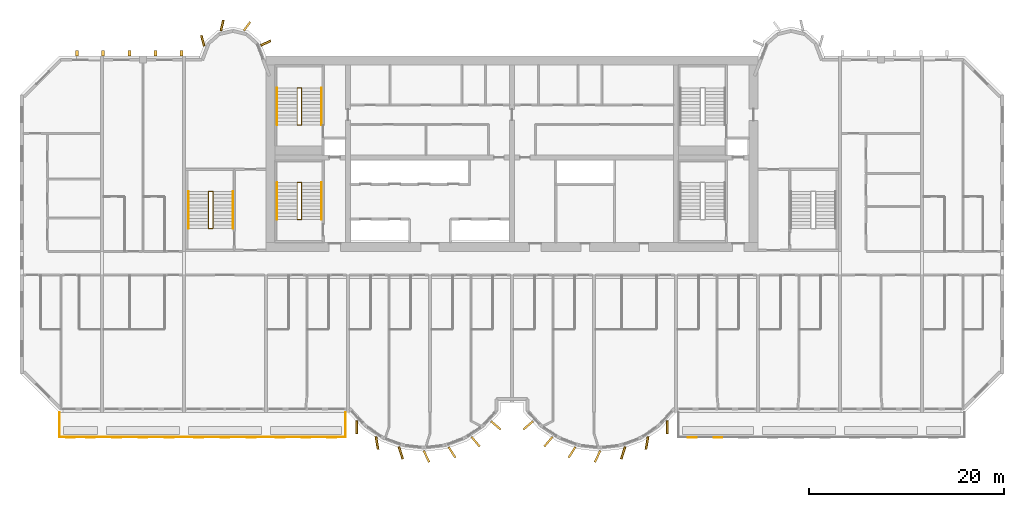
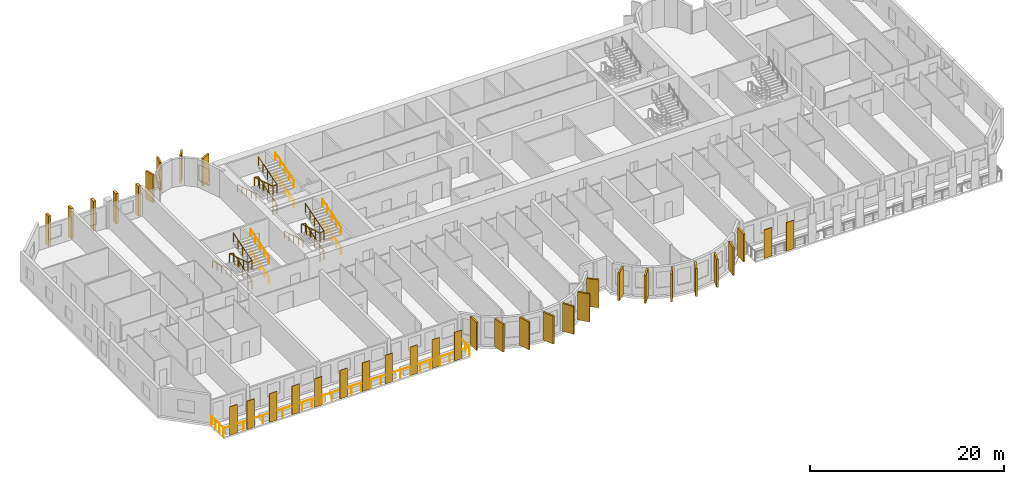
# One storey, part 12 of 14: 36 coverings, 13 railings.
"""IFC4 building model written with IfcOpenShell, lengths in metres."""

from ifc_helpers import new_model, si_unit, direction, frame, origin, origin_2d, place, context, subcontext, project, spatial, rectangle, circle, extrude, source, transform, mapped, material, layer, layer_set, material_profile, profile_set, type_object, element, save


model = new_model("IFC4")

# Units and contexts
model_context = context("Model", 3, precision=1e-05, world=origin(), true_north=direction((0.0, 1.0)))
body_context = subcontext(model_context, "Body", "Model", "MODEL_VIEW")
ifc_project = project(units=[si_unit("LENGTHUNIT", "METRE"), si_unit("AREAUNIT", "SQUARE_METRE"), si_unit("VOLUMEUNIT", "CUBIC_METRE"), si_unit("PLANEANGLEUNIT", "RADIAN"), si_unit("MASSUNIT", "GRAM", prefix="KILO")], contexts=[model_context])

# Site, building, storey
site_placement = place(None, origin())
site = spatial("IfcSite", under=ifc_project, at=site_placement, CompositionType="ELEMENT")
building_placement = place(site_placement, origin())
building = spatial("IfcBuilding", under=site, at=building_placement, Name="Vanashikhar Sky Hotel", CompositionType="ELEMENT")
storey_placement = place(building_placement, frame((0.0, 0.0, 99.0)))
storey = spatial("IfcBuildingStorey", under=building, at=storey_placement, Name="L23", CompositionType="ELEMENT", Elevation=99.0)

# Railing
ifc_material_1 = material(Name="Stainless steel 316", Category="steel")
railing_type_1 = type_object("IfcRailingType", Name="Balcony guard 1100", PredefinedType="GUARDRAIL", material=ifc_material_1)
shared_shape_1 = source(origin(), body_context, "Body", "SweptSolid", [
    extrude(circle(Radius=0.02392578125, at=origin_2d()), frame((0.0, 0.0, 1.076171875), z_axis=(0.0, -1.0, 0.0), x_axis=(1.0, 0.0, 0.0)), (0.0, 0.0, 1.0), 2.5),
    extrude(circle(Radius=0.02392578125, at=origin_2d()), frame((0.0, -2.5, 1.076171875), z_axis=(1.0, 0.0, 0.0), x_axis=(0.0, 1.0, 0.0)), (0.0, 0.0, 1.0), 29.280029296875),
    extrude(circle(Radius=0.02392578125, at=origin_2d()), frame((29.280029296875, -2.5, 1.076171875), z_axis=(0.0, 1.0, 0.0), x_axis=(-1.0, 0.0, 0.0)), (0.0, 0.0, 1.0), 2.5),
    extrude(circle(Radius=0.02099609375, at=origin_2d()), origin(), (0.0, 0.0, 1.0), 1.052001953125),
    extrude(circle(Radius=0.02099609375, at=origin_2d()), frame((0.0, -0.833251953125, 0.0)), (0.0, 0.0, 1.0), 1.052001953125),
    extrude(circle(Radius=0.02099609375, at=origin_2d()), frame((0.0, -1.666748046875, 0.0)), (0.0, 0.0, 1.0), 1.052001953125),
    extrude(circle(Radius=0.02099609375, at=origin_2d()), frame((0.0, -2.5, 0.0)), (0.0, 0.0, 1.0), 1.052001953125),
    extrude(circle(Radius=0.02099609375, at=origin_2d()), frame((1.171142578125, -2.5, 0.0)), (0.0, 0.0, 1.0), 1.052001953125),
    extrude(circle(Radius=0.02099609375, at=origin_2d()), frame((2.34228515625, -2.5, 0.0)), (0.0, 0.0, 1.0), 1.052001953125),
    extrude(circle(Radius=0.02099609375, at=origin_2d()), frame((3.513671875, -2.5, 0.0)), (0.0, 0.0, 1.0), 1.052001953125),
    extrude(circle(Radius=0.02099609375, at=origin_2d()), frame((4.684814453125, -2.5, 0.0)), (0.0, 0.0, 1.0), 1.052001953125),
    extrude(circle(Radius=0.02099609375, at=origin_2d()), frame((5.85595703125, -2.5, 0.0)), (0.0, 0.0, 1.0), 1.052001953125),
    extrude(circle(Radius=0.02099609375, at=origin_2d()), frame((7.027099609375, -2.5, 0.0)), (0.0, 0.0, 1.0), 1.052001953125),
    extrude(circle(Radius=0.02099609375, at=origin_2d()), frame((8.198486328125, -2.5, 0.0)), (0.0, 0.0, 1.0), 1.052001953125),
    extrude(circle(Radius=0.02099609375, at=origin_2d()), frame((9.36962890625, -2.5, 0.0)), (0.0, 0.0, 1.0), 1.052001953125),
    extrude(circle(Radius=0.02099609375, at=origin_2d()), frame((10.540771484375, -2.5, 0.0)), (0.0, 0.0, 1.0), 1.052001953125),
    extrude(circle(Radius=0.02099609375, at=origin_2d()), frame((11.7119140625, -2.5, 0.0)), (0.0, 0.0, 1.0), 1.052001953125),
    extrude(circle(Radius=0.02099609375, at=origin_2d()), frame((12.88330078125, -2.5, 0.0)), (0.0, 0.0, 1.0), 1.052001953125),
    extrude(circle(Radius=0.02099609375, at=origin_2d()), frame((14.054443359375, -2.5, 0.0)), (0.0, 0.0, 1.0), 1.052001953125),
    extrude(circle(Radius=0.02099609375, at=origin_2d()), frame((15.2255859375, -2.5, 0.0)), (0.0, 0.0, 1.0), 1.052001953125),
    extrude(circle(Radius=0.02099609375, at=origin_2d()), frame((16.396728515625, -2.5, 0.0)), (0.0, 0.0, 1.0), 1.052001953125),
    extrude(circle(Radius=0.02099609375, at=origin_2d()), frame((17.568115234375, -2.5, 0.0)), (0.0, 0.0, 1.0), 1.052001953125),
    extrude(circle(Radius=0.02099609375, at=origin_2d()), frame((18.7392578125, -2.5, 0.0)), (0.0, 0.0, 1.0), 1.052001953125),
    extrude(circle(Radius=0.02099609375, at=origin_2d()), frame((19.910400390625, -2.5, 0.0)), (0.0, 0.0, 1.0), 1.052001953125),
    extrude(circle(Radius=0.02099609375, at=origin_2d()), frame((21.08154296875, -2.5, 0.0)), (0.0, 0.0, 1.0), 1.052001953125),
    extrude(circle(Radius=0.02099609375, at=origin_2d()), frame((22.2529296875, -2.5, 0.0)), (0.0, 0.0, 1.0), 1.052001953125),
    extrude(circle(Radius=0.02099609375, at=origin_2d()), frame((23.424072265625, -2.5, 0.0)), (0.0, 0.0, 1.0), 1.052001953125),
    extrude(circle(Radius=0.02099609375, at=origin_2d()), frame((24.59521484375, -2.5, 0.0)), (0.0, 0.0, 1.0), 1.052001953125),
    extrude(circle(Radius=0.02099609375, at=origin_2d()), frame((25.766357421875, -2.5, 0.0)), (0.0, 0.0, 1.0), 1.052001953125),
    extrude(circle(Radius=0.02099609375, at=origin_2d()), frame((26.937744140625, -2.5, 0.0)), (0.0, 0.0, 1.0), 1.052001953125),
    extrude(circle(Radius=0.02099609375, at=origin_2d()), frame((28.10888671875, -2.5, 0.0)), (0.0, 0.0, 1.0), 1.052001953125),
    extrude(circle(Radius=0.02099609375, at=origin_2d()), frame((29.280029296875, -2.5, 0.0)), (0.0, 0.0, 1.0), 1.052001953125),
    extrude(circle(Radius=0.02099609375, at=origin_2d()), frame((29.280029296875, -1.666748046875, 0.0)), (0.0, 0.0, 1.0), 1.052001953125),
    extrude(circle(Radius=0.02099609375, at=origin_2d()), frame((29.280029296875, -0.833251953125, 0.0)), (0.0, 0.0, 1.0), 1.052001953125),
    extrude(circle(Radius=0.02099609375, at=origin_2d()), frame((29.280029296875, 0.0, 0.0)), (0.0, 0.0, 1.0), 1.052001953125),
])
railing_1_placement = place(storey_placement, frame((4.06005859375, 5.5, -0.050048828125)))
element("IfcRailing", 1, at=railing_1_placement, inside=storey, type_object=railing_type_1, Name="Balcony guard", PredefinedType="GUARDRAIL", context=body_context, shape_type="MappedRepresentation", body=[
    mapped(shared_shape_1, transform((0.0, 0.0, 0.0), scale=1.0)),
])

# Coverings
ifc_material_2 = material(Name="Terracotta", Category="masonry")
ifc_layer = layer(ifc_material_2, 0.06005859375)
ifc_layer_set = layer_set([ifc_layer], Name="Terracotta baguette screen")
covering_type_1 = type_object("IfcCoveringType", Name="Terracotta baguette screen", PredefinedType="CLADDING", material=ifc_layer_set)
shared_shape_2 = source(origin(), body_context, "Body", "SweptSolid", [
    extrude(rectangle(XDim=0.89990234375, YDim=0.06005859375, at=origin_2d()), origin(), (0.0, 0.0, 1.0), 3.60009765625),
])
for number, where, z_axis, x_axis, name in (
    (2, (5.175048828125, 2.929931640625, -0.050048828125), (0.0, 0.0, 1.0), (1.0, 0.0, 0.0), "Terracotta screen"),
    (3, (7.22509765625, 2.929931640625, -0.050048828125), (0.0, 0.0, 1.0), (1.0, 0.0, 0.0), "Terracotta screen"),
    (4, (9.89990234375, 2.929931640625, -0.050048828125), (0.0, 0.0, 1.0), (1.0, 0.0, 0.0), "Terracotta screen"),
    (5, (12.60009765625, 2.929931640625, -0.050048828125), (0.0, 0.0, 1.0), (1.0, 0.0, 0.0), "Terracotta screen"),
    (6, (15.300048828125, 2.929931640625, -0.050048828125), (0.0, 0.0, 1.0), (1.0, 0.0, 0.0), "Terracotta screen"),
    (7, (18.300048828125, 2.929931640625, -0.050048828125), (0.0, 0.0, 1.0), (1.0, 0.0, 0.0), "Terracotta screen"),
    (8, (21.0, 2.929931640625, -0.050048828125), (0.0, 0.0, 1.0), (1.0, 0.0, 0.0), "Terracotta screen"),
    (9, (23.699951171875, 2.929931640625, -0.050048828125), (0.0, 0.0, 1.0), (1.0, 0.0, 0.0), "Terracotta screen"),
    (10, (26.666748046875, 2.929931640625, -0.050048828125), (0.0, 0.0, 1.0), (1.0, 0.0, 0.0), "Terracotta screen"),
    (11, (29.300048828125, 2.929931640625, -0.050048828125), (0.0, 0.0, 1.0), (1.0, 0.0, 0.0), "Terracotta screen"),
    (12, (31.933349609375, 2.929931640625, -0.050048828125), (0.0, 0.0, 1.0), (1.0, 0.0, 0.0), "Terracotta screen"),
    (13, (68.86669921875, 2.929931640625, -0.050048828125), (0.0, 0.0, 1.0), (1.0, 0.0, 0.0), "Terracotta screen"),
    (14, (71.5, 2.929931640625, -0.050048828125), (0.0, 0.0, 1.0), (1.0, 0.0, 0.0), "Terracotta screen"),
):
    element("IfcCovering", number, at=place(storey_placement, frame(where, z_axis=z_axis, x_axis=x_axis)), inside=storey, type_object=covering_type_1, Name=name, PredefinedType="CLADDING", context=body_context, shape_type="MappedRepresentation", body=[
        mapped(shared_shape_2, transform((0.0, 0.0, 0.0), scale=1.0)),
    ])
ifc_material_3 = material(Name="Concrete M60 dark", Category="concrete")
ifc_material_profile_1 = material_profile(ifc_material_3, rectangle(XDim=1.300048828125, YDim=0.199951171875, at=origin_2d()))
ifc_profile_set_1 = profile_set([ifc_material_profile_1], Name="Fin 1300 x 200")
covering_type_2 = type_object("IfcCoveringType", Name="Fin 1300 x 200", PredefinedType="CLADDING", material=ifc_profile_set_1)
shared_shape_3 = source(origin(), body_context, "Body", "SweptSolid", [
    extrude(rectangle(XDim=1.300048828125, YDim=0.199951171875, at=origin_2d()), origin(), (0.0, 0.0, 1.0), 3.52001953125),
])
for number, where, z_axis, x_axis, name in (
    (15, (34.482421875, 3.992919921875, 0.0), (0.0, 0.0, 1.0), (0.011588726826, -0.999932848451, 0.0), "Fin F1-1"),
    (16, (36.572509765625, 2.3779296875, 0.0), (0.0, 0.0, 1.0), (0.16989991575, -0.985461322746, 0.0), "Fin F1-2"),
    (17, (39.00830078125, 1.35693359375, 0.0), (0.0, 0.0, 1.0), (0.303966551867, -0.952682704444, 0.0), "Fin F1-3"),
    (18, (41.63232421875, 1.00146484375, 0.0), (0.0, 0.0, 1.0), (0.422618261741, -0.906307787037, 0.0), "Fin F1-4"),
    (19, (44.251953125, 1.416015625, 0.0), (0.0, 0.0, 1.0), (0.534411358496, -0.845224526331, 0.0), "Fin F1-5"),
    (20, (46.676025390625, 2.5, 0.0), (0.0, 0.0, 1.0), (0.645697609467, -0.763593214433, 0.0), "Fin F1-6"),
    (21, (48.7412109375, 4.1845703125, 0.0), (0.0, 0.0, 1.0), (0.758543912032, -0.65162192529, 0.0), "Fin F1-7"),
    (22, (52.058837890625, 4.1845703125, 0.0), (0.0, 0.0, 1.0), (-0.758543912032, -0.65162192529, 0.0), "Fin F2-1"),
    (23, (54.123779296875, 2.5, 0.0), (0.0, 0.0, 1.0), (-0.645697609467, -0.763593214433, 0.0), "Fin F2-2"),
    (24, (56.547119140625, 1.416015625, 0.0), (0.0, 0.0, 1.0), (-0.534411358496, -0.845224526331, 0.0), "Fin F2-3"),
    (25, (59.16748046875, 1.00146484375, 0.0), (0.0, 0.0, 1.0), (-0.422618261741, -0.906307787037, 0.0), "Fin F2-4"),
    (26, (61.790771484375, 1.35693359375, 0.0), (0.0, 0.0, 1.0), (-0.303966551867, -0.952682704444, 0.0), "Fin F2-5"),
    (27, (64.2275390625, 2.3779296875, 0.0), (0.0, 0.0, 1.0), (-0.16989991575, -0.985461322746, 0.0), "Fin F2-6"),
    (28, (66.317626953125, 3.992919921875, 0.0), (0.0, 0.0, 1.0), (-0.011588726826, -0.999932848451, 0.0), "Fin F2-7"),
):
    element("IfcCovering", number, at=place(storey_placement, frame(where, z_axis=z_axis, x_axis=x_axis)), inside=storey, type_object=covering_type_2, Name=name, PredefinedType="CLADDING", context=body_context, shape_type="MappedRepresentation", body=[
        mapped(shared_shape_3, transform((0.0, 0.0, 0.0), scale=1.0)),
    ])
ifc_material_profile_2 = material_profile(ifc_material_3, rectangle(XDim=1.10009765625, YDim=0.199951171875, at=origin_2d()))
ifc_profile_set_2 = profile_set([ifc_material_profile_2], Name="Rear lobe fin 1100 x 200")
covering_type_3 = type_object("IfcCoveringType", Name="Rear lobe fin 1100 x 200", PredefinedType="CLADDING", material=ifc_profile_set_2)
shared_shape_4 = source(origin(), body_context, "Body", "SweptSolid", [
    extrude(rectangle(XDim=1.10009765625, YDim=0.199951171875, at=origin_2d()), origin(), (0.0, 0.0, 1.0), 3.52001953125),
])
for number, where, z_axis, x_axis, name in (
    (29, (18.720703125, 43.580078125, 0.0), (0.0, 0.0, 1.0), (-0.262711264409, 0.964874495234, 0.0), "Fin R1-1"),
    (30, (20.710205078125, 45.1455078125, 0.0), (0.0, 0.0, 1.0), (0.224644935864, 0.974440687159, 0.0), "Fin R1-2"),
    (31, (23.261962890625, 45.06640625, 0.0), (0.0, 0.0, 1.0), (0.602065892195, 0.798446404874, 0.0), "Fin R1-3"),
    (32, (25.169677734375, 43.33447265625, 0.0), (0.0, 0.0, 1.0), (0.908004291068, 0.418960866193, 0.0), "Fin R1-4"),
):
    element("IfcCovering", number, at=place(storey_placement, frame(where, z_axis=z_axis, x_axis=x_axis)), inside=storey, type_object=covering_type_3, Name=name, PredefinedType="CLADDING", context=body_context, shape_type="MappedRepresentation", body=[
        mapped(shared_shape_4, transform((0.0, 0.0, 0.0), scale=1.0)),
    ])
ifc_material_profile_3 = material_profile(ifc_material_3, rectangle(XDim=0.60009765625, YDim=0.300048828125, at=origin_2d()))
ifc_profile_set_3 = profile_set([ifc_material_profile_3], Name="Rear rib 600 x 300")
covering_type_4 = type_object("IfcCoveringType", Name="Rear rib 600 x 300", PredefinedType="CLADDING", material=ifc_profile_set_3)
shared_shape_5 = source(origin(), body_context, "Body", "SweptSolid", [
    extrude(rectangle(XDim=0.60009765625, YDim=0.300048828125, at=origin_2d()), origin(), (0.0, 0.0, 1.0), 3.800048828125),
])
for number, where, z_axis, x_axis, name in (
    (33, (5.840087890625, 42.300048828125, -0.280029296875), (0.0, 0.0, 1.0), (0.0, 1.0, 0.0), "Rear rib"),
    (34, (8.52001953125, 42.300048828125, -0.280029296875), (0.0, 0.0, 1.0), (0.0, 1.0, 0.0), "Rear rib"),
    (35, (11.199951171875, 42.300048828125, -0.280029296875), (0.0, 0.0, 1.0), (0.0, 1.0, 0.0), "Rear rib"),
    (36, (13.8798828125, 42.300048828125, -0.280029296875), (0.0, 0.0, 1.0), (0.0, 1.0, 0.0), "Rear rib"),
    (37, (16.56005859375, 42.300048828125, -0.280029296875), (0.0, 0.0, 1.0), (0.0, 1.0, 0.0), "Rear rib"),
):
    element("IfcCovering", number, at=place(storey_placement, frame(where, z_axis=z_axis, x_axis=x_axis)), inside=storey, type_object=covering_type_4, Name=name, PredefinedType="CLADDING", context=body_context, shape_type="MappedRepresentation", body=[
        mapped(shared_shape_5, transform((0.0, 0.0, 0.0), scale=1.0)),
    ])

# Railings
ifc_material_4 = material(Name="Steel S355", Category="steel")
railing_type_2 = type_object("IfcRailingType", Name="Stair handrail 900", PredefinedType="HANDRAIL", material=ifc_material_4)
shared_shape_6 = source(origin(), body_context, "Body", "SweptSolid", [
    extrude(circle(Radius=0.02392578125, at=origin_2d()), frame((0.0, 0.0, 0.8759765625), z_axis=(0.0, 0.95635109408, 0.292220096591), x_axis=(-1.0, 0.0, 0.0)), (0.0, 0.0, 1.0), 3.973388671875),
    extrude(circle(Radius=0.02099609375, at=origin_2d()), origin(), (0.0, 0.0, 1.0), 0.851806640625),
    extrude(circle(Radius=0.02099609375, at=origin_2d()), frame((0.0, 0.949951171875, 0.290283203125)), (0.0, 0.0, 1.0), 0.851806640625),
    extrude(circle(Radius=0.02099609375, at=origin_2d()), frame((0.0, 1.89990234375, 0.58056640625)), (0.0, 0.0, 1.0), 0.851806640625),
    extrude(circle(Radius=0.02099609375, at=origin_2d()), frame((0.0, 2.85009765625, 0.870849609375)), (0.0, 0.0, 1.0), 0.851806640625),
    extrude(circle(Radius=0.02099609375, at=origin_2d()), frame((0.0, 3.800048828125, 1.1611328125)), (0.0, 0.0, 1.0), 0.851806640625),
])
for number, where, name in (
    (38, (30.89990234375, 25.25, 0.10546875), "Exit stair 1 handrail"),
    (39, (30.89990234375, 25.25, 2.638916015625), "Exit stair 1 handrail"),
    (40, (30.89990234375, 34.949951171875, 0.10546875), "Exit stair 5 handrail"),
    (41, (30.89990234375, 34.949951171875, 2.638916015625), "Exit stair 5 handrail"),
):
    element("IfcRailing", number, at=place(storey_placement, frame(where)), inside=storey, type_object=railing_type_2, Name=name, PredefinedType="HANDRAIL", context=body_context, shape_type="MappedRepresentation", body=[
        mapped(shared_shape_6, transform((0.0, 0.0, 0.0), scale=1.0)),
    ])
shared_shape_7 = source(origin(), body_context, "Body", "SweptSolid", [
    extrude(circle(Radius=0.02392578125, at=origin_2d()), frame((0.0, 0.0, 0.8759765625), z_axis=(0.0, -0.95635109408, 0.292220096591), x_axis=(1.0, 0.0, 0.0)), (0.0, 0.0, 1.0), 3.973388671875),
    extrude(circle(Radius=0.02099609375, at=origin_2d()), origin(), (0.0, 0.0, 1.0), 0.851806640625),
    extrude(circle(Radius=0.02099609375, at=origin_2d()), frame((0.0, -0.949951171875, 0.290283203125)), (0.0, 0.0, 1.0), 0.851806640625),
    extrude(circle(Radius=0.02099609375, at=origin_2d()), frame((0.0, -1.89990234375, 0.58056640625)), (0.0, 0.0, 1.0), 0.851806640625),
    extrude(circle(Radius=0.02099609375, at=origin_2d()), frame((0.0, -2.85009765625, 0.870849609375)), (0.0, 0.0, 1.0), 0.851806640625),
    extrude(circle(Radius=0.02099609375, at=origin_2d()), frame((0.0, -3.800048828125, 1.1611328125)), (0.0, 0.0, 1.0), 0.851806640625),
])
for number, where, name in (
    (42, (26.35009765625, 29.050048828125, 1.372314453125), "Exit stair 1 handrail"),
    (43, (26.35009765625, 38.75, 1.372314453125), "Exit stair 5 handrail"),
):
    element("IfcRailing", number, at=place(storey_placement, frame(where)), inside=storey, type_object=railing_type_2, Name=name, PredefinedType="HANDRAIL", context=body_context, shape_type="MappedRepresentation", body=[
        mapped(shared_shape_7, transform((0.0, 0.0, 0.0), scale=1.0)),
    ])
railing_type_3 = type_object("IfcRailingType", Name="Stair guard 1100", PredefinedType="GUARDRAIL", material=ifc_material_4)
shared_shape_8 = source(origin(), body_context, "Body", "SweptSolid", [
    extrude(circle(Radius=0.02392578125, at=origin_2d()), frame((0.0, 0.0, 1.076171875), z_axis=(0.973638301096, 0.0, 0.228097476179), x_axis=(0.0, 1.0, 0.0)), (0.0, 0.0, 1.0), 0.46240234375),
    extrude(circle(Radius=0.02392578125, at=origin_2d()), frame((0.4501953125, 0.0, 1.181640625), z_axis=(0.0, 0.95635109408, 0.292220096591), x_axis=(-1.0, 0.0, 0.0)), (0.0, 0.0, 1.0), 3.973388671875),
    extrude(circle(Radius=0.02392578125, at=origin_2d()), frame((0.4501953125, 3.800048828125, 2.3427734375), z_axis=(-0.973520925263, 0.0, 0.228597917917), x_axis=(0.0, -1.0, 0.0)), (0.0, 0.0, 1.0), 0.46240234375),
    extrude(circle(Radius=0.02392578125, at=origin_2d()), frame((0.0, 3.800048828125, 2.4482421875), z_axis=(0.0, -0.95635109408, 0.292220096591), x_axis=(1.0, 0.0, 0.0)), (0.0, 0.0, 1.0), 3.973388671875),
    extrude(circle(Radius=0.02392578125, at=origin_2d()), frame((0.0, 0.0, 3.609375), z_axis=(0.973638301096, 0.0, 0.228097476179), x_axis=(0.0, 1.0, 0.0)), (0.0, 0.0, 1.0), 0.46240234375),
    extrude(circle(Radius=0.02392578125, at=origin_2d()), frame((0.4501953125, 0.0, 3.71484375), z_axis=(0.0, 0.95635109408, 0.292220096591), x_axis=(-1.0, 0.0, 0.0)), (0.0, 0.0, 1.0), 3.973388671875),
    extrude(circle(Radius=0.02099609375, at=origin_2d()), origin(), (0.0, 0.0, 1.0), 1.052001953125),
    extrude(circle(Radius=0.02099609375, at=origin_2d()), frame((0.4501953125, 0.0, 0.10546875)), (0.0, 0.0, 1.0), 1.052001953125),
    extrude(circle(Radius=0.02099609375, at=origin_2d()), frame((0.4501953125, 0.949951171875, 0.395751953125)), (0.0, 0.0, 1.0), 1.052001953125),
    extrude(circle(Radius=0.02099609375, at=origin_2d()), frame((0.4501953125, 1.89990234375, 0.68603515625)), (0.0, 0.0, 1.0), 1.052001953125),
    extrude(circle(Radius=0.02099609375, at=origin_2d()), frame((0.4501953125, 2.85009765625, 0.976318359375)), (0.0, 0.0, 1.0), 1.052001953125),
    extrude(circle(Radius=0.02099609375, at=origin_2d()), frame((0.4501953125, 3.800048828125, 1.2666015625)), (0.0, 0.0, 1.0), 1.052001953125),
    extrude(circle(Radius=0.02099609375, at=origin_2d()), frame((0.0, 3.800048828125, 1.372314453125)), (0.0, 0.0, 1.0), 1.052001953125),
    extrude(circle(Radius=0.02099609375, at=origin_2d()), frame((0.0, 2.85009765625, 1.66259765625)), (0.0, 0.0, 1.0), 1.052001953125),
    extrude(circle(Radius=0.02099609375, at=origin_2d()), frame((0.0, 1.89990234375, 1.952880859375)), (0.0, 0.0, 1.0), 1.052001953125),
    extrude(circle(Radius=0.02099609375, at=origin_2d()), frame((0.0, 0.949951171875, 2.2431640625)), (0.0, 0.0, 1.0), 1.052001953125),
    extrude(circle(Radius=0.02099609375, at=origin_2d()), frame((0.0, 0.0, 2.533447265625)), (0.0, 0.0, 1.0), 1.052001953125),
    extrude(circle(Radius=0.02099609375, at=origin_2d()), frame((0.4501953125, 0.0, 2.638916015625)), (0.0, 0.0, 1.0), 1.052001953125),
    extrude(circle(Radius=0.02099609375, at=origin_2d()), frame((0.4501953125, 0.949951171875, 2.92919921875)), (0.0, 0.0, 1.0), 1.052001953125),
    extrude(circle(Radius=0.02099609375, at=origin_2d()), frame((0.4501953125, 1.89990234375, 3.219482421875)), (0.0, 0.0, 1.0), 1.052001953125),
    extrude(circle(Radius=0.02099609375, at=origin_2d()), frame((0.4501953125, 2.85009765625, 3.509765625)), (0.0, 0.0, 1.0), 1.052001953125),
    extrude(circle(Radius=0.02099609375, at=origin_2d()), frame((0.4501953125, 3.800048828125, 3.800048828125)), (0.0, 0.0, 1.0), 1.052001953125),
])
for number, where, name in (
    (44, (28.39990234375, 25.25, 0.0), "Exit stair 1 guard"),
    (45, (28.39990234375, 34.949951171875, 0.0), "Exit stair 5 guard"),
):
    element("IfcRailing", number, at=place(storey_placement, frame(where)), inside=storey, type_object=railing_type_3, Name=name, PredefinedType="GUARDRAIL", context=body_context, shape_type="MappedRepresentation", body=[
        mapped(shared_shape_8, transform((0.0, 0.0, 0.0), scale=1.0)),
    ])
shared_shape_9 = source(origin(), body_context, "Body", "SweptSolid", [
    extrude(circle(Radius=0.02392578125, at=origin_2d()), frame((0.0, 0.0, 0.8759765625), z_axis=(0.0, 0.956345846891, 0.292237268557), x_axis=(-1.0, 0.0, 0.0)), (0.0, 0.0, 1.0), 3.97314453125),
    extrude(circle(Radius=0.02099609375, at=origin_2d()), origin(), (0.0, 0.0, 1.0), 0.851806640625),
    extrude(circle(Radius=0.02099609375, at=origin_2d()), frame((0.0, 0.949951171875, 0.290283203125)), (0.0, 0.0, 1.0), 0.851806640625),
    extrude(circle(Radius=0.02099609375, at=origin_2d()), frame((0.0, 1.89990234375, 0.58056640625)), (0.0, 0.0, 1.0), 0.851806640625),
    extrude(circle(Radius=0.02099609375, at=origin_2d()), frame((0.0, 2.849853515625, 0.870849609375)), (0.0, 0.0, 1.0), 0.851806640625),
    extrude(circle(Radius=0.02099609375, at=origin_2d()), frame((0.0, 3.7998046875, 1.1611328125)), (0.0, 0.0, 1.0), 0.851806640625),
])
for number, where, name in (
    (46, (21.800048828125, 24.35009765625, 0.10546875), "Exit stair 3 handrail"),
    (47, (21.800048828125, 24.35009765625, 2.638916015625), "Exit stair 3 handrail"),
):
    element("IfcRailing", number, at=place(storey_placement, frame(where)), inside=storey, type_object=railing_type_2, Name=name, PredefinedType="HANDRAIL", context=body_context, shape_type="MappedRepresentation", body=[
        mapped(shared_shape_9, transform((0.0, 0.0, 0.0), scale=1.0)),
    ])
shared_shape_10 = source(origin(), body_context, "Body", "SweptSolid", [
    extrude(circle(Radius=0.02392578125, at=origin_2d()), frame((0.0, 0.0, 0.8759765625), z_axis=(0.0, -0.956345846891, 0.292237268557), x_axis=(1.0, 0.0, 0.0)), (0.0, 0.0, 1.0), 3.97314453125),
    extrude(circle(Radius=0.02099609375, at=origin_2d()), origin(), (0.0, 0.0, 1.0), 0.851806640625),
    extrude(circle(Radius=0.02099609375, at=origin_2d()), frame((0.0, -0.949951171875, 0.290283203125)), (0.0, 0.0, 1.0), 0.851806640625),
    extrude(circle(Radius=0.02099609375, at=origin_2d()), frame((0.0, -1.89990234375, 0.58056640625)), (0.0, 0.0, 1.0), 0.851806640625),
    extrude(circle(Radius=0.02099609375, at=origin_2d()), frame((0.0, -2.849853515625, 0.870849609375)), (0.0, 0.0, 1.0), 0.851806640625),
    extrude(circle(Radius=0.02099609375, at=origin_2d()), frame((0.0, -3.7998046875, 1.1611328125)), (0.0, 0.0, 1.0), 0.851806640625),
])
railing_2_placement = place(storey_placement, frame((17.25, 28.14990234375, 1.372314453125)))
element("IfcRailing", 48, at=railing_2_placement, inside=storey, type_object=railing_type_2, Name="Exit stair 3 handrail", PredefinedType="HANDRAIL", context=body_context, shape_type="MappedRepresentation", body=[
    mapped(shared_shape_10, transform((0.0, 0.0, 0.0), scale=1.0)),
])
shared_shape_11 = source(origin(), body_context, "Body", "SweptSolid", [
    extrude(circle(Radius=0.02392578125, at=origin_2d()), frame((0.0, 0.0, 1.076171875), z_axis=(0.973610808694, 0.0, 0.228214796178), x_axis=(0.0, 1.0, 0.0)), (0.0, 0.0, 1.0), 0.462158203125),
    extrude(circle(Radius=0.02392578125, at=origin_2d()), frame((0.449951171875, 0.0, 1.181640625), z_axis=(0.0, 0.956345846891, 0.292237268557), x_axis=(-1.0, 0.0, 0.0)), (0.0, 0.0, 1.0), 3.97314453125),
    extrude(circle(Radius=0.02392578125, at=origin_2d()), frame((0.449951171875, 3.7998046875, 2.3427734375), z_axis=(-0.973493315427, 0.0, 0.228715466945), x_axis=(0.0, -1.0, 0.0)), (0.0, 0.0, 1.0), 0.462158203125),
    extrude(circle(Radius=0.02392578125, at=origin_2d()), frame((0.0, 3.7998046875, 2.4482421875), z_axis=(0.0, -0.956345846891, 0.292237268557), x_axis=(1.0, 0.0, 0.0)), (0.0, 0.0, 1.0), 3.97314453125),
    extrude(circle(Radius=0.02392578125, at=origin_2d()), frame((0.0, 0.0, 3.609375), z_axis=(0.973610808694, 0.0, 0.228214796178), x_axis=(0.0, 1.0, 0.0)), (0.0, 0.0, 1.0), 0.462158203125),
    extrude(circle(Radius=0.02392578125, at=origin_2d()), frame((0.449951171875, 0.0, 3.71484375), z_axis=(0.0, 0.956345846891, 0.292237268557), x_axis=(-1.0, 0.0, 0.0)), (0.0, 0.0, 1.0), 3.97314453125),
    extrude(circle(Radius=0.02099609375, at=origin_2d()), origin(), (0.0, 0.0, 1.0), 1.052001953125),
    extrude(circle(Radius=0.02099609375, at=origin_2d()), frame((0.449951171875, 0.0, 0.10546875)), (0.0, 0.0, 1.0), 1.052001953125),
    extrude(circle(Radius=0.02099609375, at=origin_2d()), frame((0.449951171875, 0.949951171875, 0.395751953125)), (0.0, 0.0, 1.0), 1.052001953125),
    extrude(circle(Radius=0.02099609375, at=origin_2d()), frame((0.449951171875, 1.89990234375, 0.68603515625)), (0.0, 0.0, 1.0), 1.052001953125),
    extrude(circle(Radius=0.02099609375, at=origin_2d()), frame((0.449951171875, 2.849853515625, 0.976318359375)), (0.0, 0.0, 1.0), 1.052001953125),
    extrude(circle(Radius=0.02099609375, at=origin_2d()), frame((0.449951171875, 3.7998046875, 1.2666015625)), (0.0, 0.0, 1.0), 1.052001953125),
    extrude(circle(Radius=0.02099609375, at=origin_2d()), frame((0.0, 3.7998046875, 1.372314453125)), (0.0, 0.0, 1.0), 1.052001953125),
    extrude(circle(Radius=0.02099609375, at=origin_2d()), frame((0.0, 2.849853515625, 1.66259765625)), (0.0, 0.0, 1.0), 1.052001953125),
    extrude(circle(Radius=0.02099609375, at=origin_2d()), frame((0.0, 1.89990234375, 1.952880859375)), (0.0, 0.0, 1.0), 1.052001953125),
    extrude(circle(Radius=0.02099609375, at=origin_2d()), frame((0.0, 0.949951171875, 2.2431640625)), (0.0, 0.0, 1.0), 1.052001953125),
    extrude(circle(Radius=0.02099609375, at=origin_2d()), frame((0.0, 0.0, 2.533447265625)), (0.0, 0.0, 1.0), 1.052001953125),
    extrude(circle(Radius=0.02099609375, at=origin_2d()), frame((0.449951171875, 0.0, 2.638916015625)), (0.0, 0.0, 1.0), 1.052001953125),
    extrude(circle(Radius=0.02099609375, at=origin_2d()), frame((0.449951171875, 0.949951171875, 2.92919921875)), (0.0, 0.0, 1.0), 1.052001953125),
    extrude(circle(Radius=0.02099609375, at=origin_2d()), frame((0.449951171875, 1.89990234375, 3.219482421875)), (0.0, 0.0, 1.0), 1.052001953125),
    extrude(circle(Radius=0.02099609375, at=origin_2d()), frame((0.449951171875, 2.849853515625, 3.509765625)), (0.0, 0.0, 1.0), 1.052001953125),
    extrude(circle(Radius=0.02099609375, at=origin_2d()), frame((0.449951171875, 3.7998046875, 3.800048828125)), (0.0, 0.0, 1.0), 1.052001953125),
])
railing_3_placement = place(storey_placement, frame((19.300048828125, 24.35009765625, 0.0)))
element("IfcRailing", 49, at=railing_3_placement, inside=storey, type_object=railing_type_3, Name="Exit stair 3 guard", PredefinedType="GUARDRAIL", context=body_context, shape_type="MappedRepresentation", body=[
    mapped(shared_shape_11, transform((0.0, 0.0, 0.0), scale=1.0)),
])

save(model, "model.ifc")
